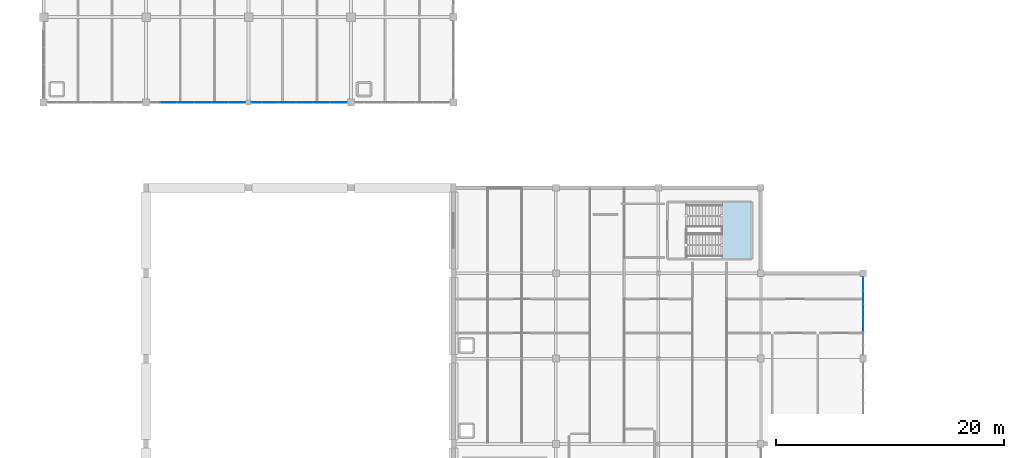
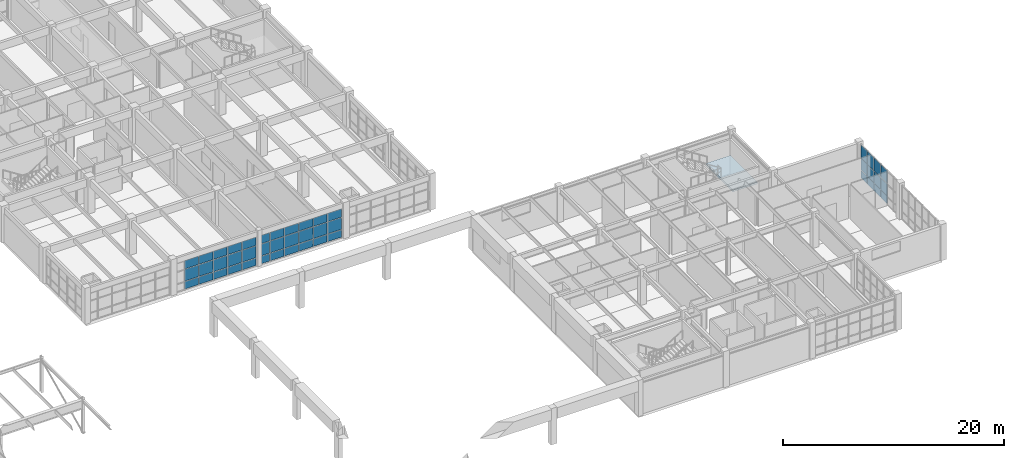
# One storey, part 49 of 76: 45 plates, 1 slab, 4 elements without a shape of their own.
"""IFC4 building model written with IfcOpenShell, lengths in metres."""

from ifc_helpers import new_model, si_unit, direction, frame, origin, origin_2d, place, context, subcontext, project, spatial, polyline, rectangle, outline, extrude, material, layer, layer_set, type_object, element, aggregate, save


model = new_model("IFC4")

# Units and contexts
model_context = context("Model", 3, precision=1e-05, world=origin(), true_north=direction((0.0, 1.0)))
body_context = subcontext(model_context, "Body", "Model", "MODEL_VIEW")
ifc_project = project(units=[si_unit("LENGTHUNIT", "METRE"), si_unit("AREAUNIT", "SQUARE_METRE"), si_unit("VOLUMEUNIT", "CUBIC_METRE"), si_unit("PLANEANGLEUNIT", "RADIAN"), si_unit("MASSUNIT", "GRAM", prefix="KILO")], contexts=[model_context])

# Site, building, storey
site_placement = place(None, origin())
site = spatial("IfcSite", under=ifc_project, at=site_placement, CompositionType="ELEMENT")
building_placement = place(site_placement, origin())
building = spatial("IfcBuilding", under=site, at=building_placement, Name="Marnridge Secondary College", CompositionType="ELEMENT")
storey_placement = place(building_placement, frame((0.0, 0.0, 4.5)))
storey = spatial("IfcBuildingStorey", under=building, at=storey_placement, Name="L01", CompositionType="ELEMENT", Elevation=4.5)

# Curtain wall, plates
ifc_material_1 = material(Name="Thermally broken aluminium and low-E glazing", Category="aluminium")
ifc_layer_1 = layer(ifc_material_1, 0.159912109375)
ifc_layer_set_1 = layer_set([ifc_layer_1], Name="CW-MOD-1500")
curtain_wall_type_1 = type_object("IfcCurtainWallType", Name="CW-MOD-1500", PredefinedType="NOTDEFINED", material=ifc_layer_set_1)
curtain_wall_1_placement = place(storey_placement, origin())
curtain_wall_1 = element("IfcCurtainWall", 1, at=curtain_wall_1_placement, inside=storey, type_object=curtain_wall_type_1, Name="Unitised curtain wall CW-L01-036", PredefinedType="NOTDEFINED")
ifc_material_2 = material(Name="Double-glazed low-E argon unit", Category="glass")
ifc_layer_2 = layer(ifc_material_2, 0.028076171875)
ifc_layer_set_2 = layer_set([ifc_layer_2], Name="CWP-GLZ28")
plate_type = type_object("IfcPlateType", Name="CWP-GLZ28", PredefinedType="CURTAIN_PANEL", material=ifc_layer_set_2)
plate_1_placement = place(storey_placement, frame((79.916015625, 37.5, 0.06005859375), z_axis=(0.0, 0.0, 1.0), x_axis=(-1.0, 0.0, 0.0)))
plate_1 = element("IfcPlate", 2, at=plate_1_placement, type_object=plate_type, Name="CW-L01-036 panel 1.1", PredefinedType="CURTAIN_PANEL", context=body_context, shape_type="SweptSolid", body=[
    extrude(rectangle(XDim=1.43994140625, YDim=0.028076171875, at=origin_2d()), origin(), (0.0, 0.0, 1.0), 0.81005859375),
])
plate_2_placement = place(storey_placement, frame((79.916015625, 37.5, 0.929931640625), z_axis=(0.0, 0.0, 1.0), x_axis=(-1.0, 0.0, 0.0)))
plate_2 = element("IfcPlate", 3, at=plate_2_placement, type_object=plate_type, Name="CW-L01-036 panel 1.2", PredefinedType="CURTAIN_PANEL", context=body_context, shape_type="SweptSolid", body=[
    extrude(rectangle(XDim=1.43994140625, YDim=0.028076171875, at=origin_2d()), origin(), (0.0, 0.0, 1.0), 1.2900390625),
])
plate_3_placement = place(storey_placement, frame((79.916015625, 37.5, 2.27978515625), z_axis=(0.0, 0.0, 1.0), x_axis=(-1.0, 0.0, 0.0)))
plate_3 = element("IfcPlate", 4, at=plate_3_placement, type_object=plate_type, Name="CW-L01-036 panel 1.3", PredefinedType="CURTAIN_PANEL", context=body_context, shape_type="SweptSolid", body=[
    extrude(rectangle(XDim=1.43994140625, YDim=0.028076171875, at=origin_2d()), origin(), (0.0, 0.0, 1.0), 0.906982421875),
])
plate_4_placement = place(storey_placement, frame((78.416015625, 37.5, 0.06005859375), z_axis=(0.0, 0.0, 1.0), x_axis=(-1.0, 0.0, 0.0)))
plate_4 = element("IfcPlate", 5, at=plate_4_placement, type_object=plate_type, Name="CW-L01-036 panel 2.1", PredefinedType="CURTAIN_PANEL", context=body_context, shape_type="SweptSolid", body=[
    extrude(rectangle(XDim=1.43994140625, YDim=0.028076171875, at=origin_2d()), origin(), (0.0, 0.0, 1.0), 0.81005859375),
])
plate_5_placement = place(storey_placement, frame((78.416015625, 37.5, 0.929931640625), z_axis=(0.0, 0.0, 1.0), x_axis=(-1.0, 0.0, 0.0)))
plate_5 = element("IfcPlate", 6, at=plate_5_placement, type_object=plate_type, Name="CW-L01-036 panel 2.2", PredefinedType="CURTAIN_PANEL", context=body_context, shape_type="SweptSolid", body=[
    extrude(rectangle(XDim=1.43994140625, YDim=0.028076171875, at=origin_2d()), origin(), (0.0, 0.0, 1.0), 1.2900390625),
])
plate_6_placement = place(storey_placement, frame((78.416015625, 37.5, 2.27978515625), z_axis=(0.0, 0.0, 1.0), x_axis=(-1.0, 0.0, 0.0)))
plate_6 = element("IfcPlate", 7, at=plate_6_placement, type_object=plate_type, Name="CW-L01-036 panel 2.3", PredefinedType="CURTAIN_PANEL", context=body_context, shape_type="SweptSolid", body=[
    extrude(rectangle(XDim=1.43994140625, YDim=0.028076171875, at=origin_2d()), origin(), (0.0, 0.0, 1.0), 0.906982421875),
])
plate_7_placement = place(storey_placement, frame((76.916015625, 37.5, 0.06005859375), z_axis=(0.0, 0.0, 1.0), x_axis=(-1.0, 0.0, 0.0)))
plate_7 = element("IfcPlate", 8, at=plate_7_placement, type_object=plate_type, Name="CW-L01-036 panel 3.1", PredefinedType="CURTAIN_PANEL", context=body_context, shape_type="SweptSolid", body=[
    extrude(rectangle(XDim=1.43994140625, YDim=0.028076171875, at=origin_2d()), origin(), (0.0, 0.0, 1.0), 0.81005859375),
])
plate_8_placement = place(storey_placement, frame((76.916015625, 37.5, 0.929931640625), z_axis=(0.0, 0.0, 1.0), x_axis=(-1.0, 0.0, 0.0)))
plate_8 = element("IfcPlate", 9, at=plate_8_placement, type_object=plate_type, Name="CW-L01-036 panel 3.2", PredefinedType="CURTAIN_PANEL", context=body_context, shape_type="SweptSolid", body=[
    extrude(rectangle(XDim=1.43994140625, YDim=0.028076171875, at=origin_2d()), origin(), (0.0, 0.0, 1.0), 1.2900390625),
])
plate_9_placement = place(storey_placement, frame((76.916015625, 37.5, 2.27978515625), z_axis=(0.0, 0.0, 1.0), x_axis=(-1.0, 0.0, 0.0)))
plate_9 = element("IfcPlate", 10, at=plate_9_placement, type_object=plate_type, Name="CW-L01-036 panel 3.3", PredefinedType="CURTAIN_PANEL", context=body_context, shape_type="SweptSolid", body=[
    extrude(rectangle(XDim=1.43994140625, YDim=0.028076171875, at=origin_2d()), origin(), (0.0, 0.0, 1.0), 0.906982421875),
])
plate_10_placement = place(storey_placement, frame((75.416015625, 37.5, 0.06005859375), z_axis=(0.0, 0.0, 1.0), x_axis=(-1.0, 0.0, 0.0)))
plate_10 = element("IfcPlate", 11, at=plate_10_placement, type_object=plate_type, Name="CW-L01-036 panel 4.1", PredefinedType="CURTAIN_PANEL", context=body_context, shape_type="SweptSolid", body=[
    extrude(rectangle(XDim=1.43994140625, YDim=0.028076171875, at=origin_2d()), origin(), (0.0, 0.0, 1.0), 0.81005859375),
])
plate_11_placement = place(storey_placement, frame((75.416015625, 37.5, 0.929931640625), z_axis=(0.0, 0.0, 1.0), x_axis=(-1.0, 0.0, 0.0)))
plate_11 = element("IfcPlate", 12, at=plate_11_placement, type_object=plate_type, Name="CW-L01-036 panel 4.2", PredefinedType="CURTAIN_PANEL", context=body_context, shape_type="SweptSolid", body=[
    extrude(rectangle(XDim=1.43994140625, YDim=0.028076171875, at=origin_2d()), origin(), (0.0, 0.0, 1.0), 1.2900390625),
])
plate_12_placement = place(storey_placement, frame((75.416015625, 37.5, 2.27978515625), z_axis=(0.0, 0.0, 1.0), x_axis=(-1.0, 0.0, 0.0)))
plate_12 = element("IfcPlate", 13, at=plate_12_placement, type_object=plate_type, Name="CW-L01-036 panel 4.3", PredefinedType="CURTAIN_PANEL", context=body_context, shape_type="SweptSolid", body=[
    extrude(rectangle(XDim=1.43994140625, YDim=0.028076171875, at=origin_2d()), origin(), (0.0, 0.0, 1.0), 0.906982421875),
])
plate_13_placement = place(storey_placement, frame((73.916015625, 37.5, 0.06005859375), z_axis=(0.0, 0.0, 1.0), x_axis=(-1.0, 0.0, 0.0)))
plate_13 = element("IfcPlate", 14, at=plate_13_placement, type_object=plate_type, Name="CW-L01-036 panel 5.1", PredefinedType="CURTAIN_PANEL", context=body_context, shape_type="SweptSolid", body=[
    extrude(rectangle(XDim=1.43994140625, YDim=0.028076171875, at=origin_2d()), origin(), (0.0, 0.0, 1.0), 0.81005859375),
])
plate_14_placement = place(storey_placement, frame((73.916015625, 37.5, 0.929931640625), z_axis=(0.0, 0.0, 1.0), x_axis=(-1.0, 0.0, 0.0)))
plate_14 = element("IfcPlate", 15, at=plate_14_placement, type_object=plate_type, Name="CW-L01-036 panel 5.2", PredefinedType="CURTAIN_PANEL", context=body_context, shape_type="SweptSolid", body=[
    extrude(rectangle(XDim=1.43994140625, YDim=0.028076171875, at=origin_2d()), origin(), (0.0, 0.0, 1.0), 1.2900390625),
])
plate_15_placement = place(storey_placement, frame((73.916015625, 37.5, 2.27978515625), z_axis=(0.0, 0.0, 1.0), x_axis=(-1.0, 0.0, 0.0)))
plate_15 = element("IfcPlate", 16, at=plate_15_placement, type_object=plate_type, Name="CW-L01-036 panel 5.3", PredefinedType="CURTAIN_PANEL", context=body_context, shape_type="SweptSolid", body=[
    extrude(rectangle(XDim=1.43994140625, YDim=0.028076171875, at=origin_2d()), origin(), (0.0, 0.0, 1.0), 0.906982421875),
])
plate_16_placement = place(storey_placement, frame((72.71240234375, 37.5, 0.06005859375), z_axis=(0.0, 0.0, 1.0), x_axis=(-1.0, 0.0, 0.0)))
plate_16 = element("IfcPlate", 17, at=plate_16_placement, type_object=plate_type, Name="CW-L01-036 panel 6.1", PredefinedType="CURTAIN_PANEL", context=body_context, shape_type="SweptSolid", body=[
    extrude(rectangle(XDim=0.846923828125, YDim=0.028076171875, at=origin_2d()), origin(), (0.0, 0.0, 1.0), 0.81005859375),
])
plate_17_placement = place(storey_placement, frame((72.71240234375, 37.5, 0.929931640625), z_axis=(0.0, 0.0, 1.0), x_axis=(-1.0, 0.0, 0.0)))
plate_17 = element("IfcPlate", 18, at=plate_17_placement, type_object=plate_type, Name="CW-L01-036 panel 6.2", PredefinedType="CURTAIN_PANEL", context=body_context, shape_type="SweptSolid", body=[
    extrude(rectangle(XDim=0.846923828125, YDim=0.028076171875, at=origin_2d()), origin(), (0.0, 0.0, 1.0), 1.2900390625),
])
plate_18_placement = place(storey_placement, frame((72.71240234375, 37.5, 2.27978515625), z_axis=(0.0, 0.0, 1.0), x_axis=(-1.0, 0.0, 0.0)))
plate_18 = element("IfcPlate", 19, at=plate_18_placement, type_object=plate_type, Name="CW-L01-036 panel 6.3", PredefinedType="CURTAIN_PANEL", context=body_context, shape_type="SweptSolid", body=[
    extrude(rectangle(XDim=0.846923828125, YDim=0.028076171875, at=origin_2d()), origin(), (0.0, 0.0, 1.0), 0.906982421875),
])
aggregate(curtain_wall_1, [plate_1, plate_2, plate_3, plate_4, plate_5, plate_6, plate_7, plate_8, plate_9, plate_10, plate_11, plate_12, plate_13, plate_14, plate_15, plate_16, plate_17, plate_18])

curtain_wall_2_placement = place(storey_placement, origin())
curtain_wall_2 = element("IfcCurtainWall", 20, at=curtain_wall_2_placement, inside=storey, type_object=curtain_wall_type_1, Name="Unitised curtain wall CW-L01-037", PredefinedType="NOTDEFINED")
plate_19_placement = place(storey_placement, frame((70.990966796875, 37.5, 0.06005859375), z_axis=(0.0, 0.0, 1.0), x_axis=(-1.0, 0.0, 0.0)))
plate_19 = element("IfcPlate", 21, at=plate_19_placement, type_object=plate_type, Name="CW-L01-037 panel 1.1", PredefinedType="CURTAIN_PANEL", context=body_context, shape_type="SweptSolid", body=[
    extrude(rectangle(XDim=1.43994140625, YDim=0.028076171875, at=origin_2d()), origin(), (0.0, 0.0, 1.0), 0.81005859375),
])
plate_20_placement = place(storey_placement, frame((70.990966796875, 37.5, 0.929931640625), z_axis=(0.0, 0.0, 1.0), x_axis=(-1.0, 0.0, 0.0)))
plate_20 = element("IfcPlate", 22, at=plate_20_placement, type_object=plate_type, Name="CW-L01-037 panel 1.2", PredefinedType="CURTAIN_PANEL", context=body_context, shape_type="SweptSolid", body=[
    extrude(rectangle(XDim=1.43994140625, YDim=0.028076171875, at=origin_2d()), origin(), (0.0, 0.0, 1.0), 1.2900390625),
])
plate_21_placement = place(storey_placement, frame((70.990966796875, 37.5, 2.27978515625), z_axis=(0.0, 0.0, 1.0), x_axis=(-1.0, 0.0, 0.0)))
plate_21 = element("IfcPlate", 23, at=plate_21_placement, type_object=plate_type, Name="CW-L01-037 panel 1.3", PredefinedType="CURTAIN_PANEL", context=body_context, shape_type="SweptSolid", body=[
    extrude(rectangle(XDim=1.43994140625, YDim=0.028076171875, at=origin_2d()), origin(), (0.0, 0.0, 1.0), 0.906982421875),
])
plate_22_placement = place(storey_placement, frame((69.490966796875, 37.5, 0.06005859375), z_axis=(0.0, 0.0, 1.0), x_axis=(-1.0, 0.0, 0.0)))
plate_22 = element("IfcPlate", 24, at=plate_22_placement, type_object=plate_type, Name="CW-L01-037 panel 2.1", PredefinedType="CURTAIN_PANEL", context=body_context, shape_type="SweptSolid", body=[
    extrude(rectangle(XDim=1.43994140625, YDim=0.028076171875, at=origin_2d()), origin(), (0.0, 0.0, 1.0), 0.81005859375),
])
plate_23_placement = place(storey_placement, frame((69.490966796875, 37.5, 0.929931640625), z_axis=(0.0, 0.0, 1.0), x_axis=(-1.0, 0.0, 0.0)))
plate_23 = element("IfcPlate", 25, at=plate_23_placement, type_object=plate_type, Name="CW-L01-037 panel 2.2", PredefinedType="CURTAIN_PANEL", context=body_context, shape_type="SweptSolid", body=[
    extrude(rectangle(XDim=1.43994140625, YDim=0.028076171875, at=origin_2d()), origin(), (0.0, 0.0, 1.0), 1.2900390625),
])
plate_24_placement = place(storey_placement, frame((69.490966796875, 37.5, 2.27978515625), z_axis=(0.0, 0.0, 1.0), x_axis=(-1.0, 0.0, 0.0)))
plate_24 = element("IfcPlate", 26, at=plate_24_placement, type_object=plate_type, Name="CW-L01-037 panel 2.3", PredefinedType="CURTAIN_PANEL", context=body_context, shape_type="SweptSolid", body=[
    extrude(rectangle(XDim=1.43994140625, YDim=0.028076171875, at=origin_2d()), origin(), (0.0, 0.0, 1.0), 0.906982421875),
])
plate_25_placement = place(storey_placement, frame((67.990966796875, 37.5, 0.06005859375), z_axis=(0.0, 0.0, 1.0), x_axis=(-1.0, 0.0, 0.0)))
plate_25 = element("IfcPlate", 27, at=plate_25_placement, type_object=plate_type, Name="CW-L01-037 panel 3.1", PredefinedType="CURTAIN_PANEL", context=body_context, shape_type="SweptSolid", body=[
    extrude(rectangle(XDim=1.43994140625, YDim=0.028076171875, at=origin_2d()), origin(), (0.0, 0.0, 1.0), 0.81005859375),
])
plate_26_placement = place(storey_placement, frame((67.990966796875, 37.5, 0.929931640625), z_axis=(0.0, 0.0, 1.0), x_axis=(-1.0, 0.0, 0.0)))
plate_26 = element("IfcPlate", 28, at=plate_26_placement, type_object=plate_type, Name="CW-L01-037 panel 3.2", PredefinedType="CURTAIN_PANEL", context=body_context, shape_type="SweptSolid", body=[
    extrude(rectangle(XDim=1.43994140625, YDim=0.028076171875, at=origin_2d()), origin(), (0.0, 0.0, 1.0), 1.2900390625),
])
plate_27_placement = place(storey_placement, frame((67.990966796875, 37.5, 2.27978515625), z_axis=(0.0, 0.0, 1.0), x_axis=(-1.0, 0.0, 0.0)))
plate_27 = element("IfcPlate", 29, at=plate_27_placement, type_object=plate_type, Name="CW-L01-037 panel 3.3", PredefinedType="CURTAIN_PANEL", context=body_context, shape_type="SweptSolid", body=[
    extrude(rectangle(XDim=1.43994140625, YDim=0.028076171875, at=origin_2d()), origin(), (0.0, 0.0, 1.0), 0.906982421875),
])
plate_28_placement = place(storey_placement, frame((66.490966796875, 37.5, 0.06005859375), z_axis=(0.0, 0.0, 1.0), x_axis=(-1.0, 0.0, 0.0)))
plate_28 = element("IfcPlate", 30, at=plate_28_placement, type_object=plate_type, Name="CW-L01-037 panel 4.1", PredefinedType="CURTAIN_PANEL", context=body_context, shape_type="SweptSolid", body=[
    extrude(rectangle(XDim=1.43994140625, YDim=0.028076171875, at=origin_2d()), origin(), (0.0, 0.0, 1.0), 0.81005859375),
])
plate_29_placement = place(storey_placement, frame((66.490966796875, 37.5, 0.929931640625), z_axis=(0.0, 0.0, 1.0), x_axis=(-1.0, 0.0, 0.0)))
plate_29 = element("IfcPlate", 31, at=plate_29_placement, type_object=plate_type, Name="CW-L01-037 panel 4.2", PredefinedType="CURTAIN_PANEL", context=body_context, shape_type="SweptSolid", body=[
    extrude(rectangle(XDim=1.43994140625, YDim=0.028076171875, at=origin_2d()), origin(), (0.0, 0.0, 1.0), 1.2900390625),
])
plate_30_placement = place(storey_placement, frame((66.490966796875, 37.5, 2.27978515625), z_axis=(0.0, 0.0, 1.0), x_axis=(-1.0, 0.0, 0.0)))
plate_30 = element("IfcPlate", 32, at=plate_30_placement, type_object=plate_type, Name="CW-L01-037 panel 4.3", PredefinedType="CURTAIN_PANEL", context=body_context, shape_type="SweptSolid", body=[
    extrude(rectangle(XDim=1.43994140625, YDim=0.028076171875, at=origin_2d()), origin(), (0.0, 0.0, 1.0), 0.906982421875),
])
plate_31_placement = place(storey_placement, frame((64.990966796875, 37.5, 0.06005859375), z_axis=(0.0, 0.0, 1.0), x_axis=(-1.0, 0.0, 0.0)))
plate_31 = element("IfcPlate", 33, at=plate_31_placement, type_object=plate_type, Name="CW-L01-037 panel 5.1", PredefinedType="CURTAIN_PANEL", context=body_context, shape_type="SweptSolid", body=[
    extrude(rectangle(XDim=1.43994140625, YDim=0.028076171875, at=origin_2d()), origin(), (0.0, 0.0, 1.0), 0.81005859375),
])
plate_32_placement = place(storey_placement, frame((64.990966796875, 37.5, 0.929931640625), z_axis=(0.0, 0.0, 1.0), x_axis=(-1.0, 0.0, 0.0)))
plate_32 = element("IfcPlate", 34, at=plate_32_placement, type_object=plate_type, Name="CW-L01-037 panel 5.2", PredefinedType="CURTAIN_PANEL", context=body_context, shape_type="SweptSolid", body=[
    extrude(rectangle(XDim=1.43994140625, YDim=0.028076171875, at=origin_2d()), origin(), (0.0, 0.0, 1.0), 1.2900390625),
])
plate_33_placement = place(storey_placement, frame((64.990966796875, 37.5, 2.27978515625), z_axis=(0.0, 0.0, 1.0), x_axis=(-1.0, 0.0, 0.0)))
plate_33 = element("IfcPlate", 35, at=plate_33_placement, type_object=plate_type, Name="CW-L01-037 panel 5.3", PredefinedType="CURTAIN_PANEL", context=body_context, shape_type="SweptSolid", body=[
    extrude(rectangle(XDim=1.43994140625, YDim=0.028076171875, at=origin_2d()), origin(), (0.0, 0.0, 1.0), 0.906982421875),
])
aggregate(curtain_wall_2, [plate_19, plate_20, plate_21, plate_22, plate_23, plate_24, plate_25, plate_26, plate_27, plate_28, plate_29, plate_30, plate_31, plate_32, plate_33])

ifc_material_3 = material(Name="Thermally broken aluminium and low-E glazing", Category="aluminium")
ifc_layer_3 = layer(ifc_material_3, 0.179931640625)
ifc_layer_set_3 = layer_set([ifc_layer_3], Name="CW-MOD-1200")
curtain_wall_type_2 = type_object("IfcCurtainWallType", Name="CW-MOD-1200", PredefinedType="NOTDEFINED", material=ifc_layer_set_3)
curtain_wall_3_placement = place(storey_placement, origin())
curtain_wall_3 = element("IfcCurtainWall", 36, at=curtain_wall_3_placement, inside=storey, type_object=curtain_wall_type_2, Name="Unitised curtain wall CW-L01-042", PredefinedType="NOTDEFINED")
plate_34_placement = place(storey_placement, frame((126.0, 21.5634765625, 0.06005859375), z_axis=(0.0, 0.0, 1.0), x_axis=(0.0, -1.0, 0.0)))
plate_34 = element("IfcPlate", 37, at=plate_34_placement, type_object=plate_type, Name="CW-L01-042 panel 1.1", PredefinedType="CURTAIN_PANEL", context=body_context, shape_type="SweptSolid", body=[
    extrude(rectangle(XDim=1.135009765625, YDim=0.028076171875, at=origin_2d()), origin(), (0.0, 0.0, 1.0), 0.81005859375),
])
plate_35_placement = place(storey_placement, frame((126.0, 21.5634765625, 0.929931640625), z_axis=(0.0, 0.0, 1.0), x_axis=(0.0, -1.0, 0.0)))
plate_35 = element("IfcPlate", 38, at=plate_35_placement, type_object=plate_type, Name="CW-L01-042 panel 1.2", PredefinedType="CURTAIN_PANEL", context=body_context, shape_type="SweptSolid", body=[
    extrude(rectangle(XDim=1.135009765625, YDim=0.028076171875, at=origin_2d()), origin(), (0.0, 0.0, 1.0), 1.2900390625),
])
plate_36_placement = place(storey_placement, frame((126.0, 21.5634765625, 2.2802734375), z_axis=(0.0, 0.0, 1.0), x_axis=(0.0, -1.0, 0.0)))
plate_36 = element("IfcPlate", 39, at=plate_36_placement, type_object=plate_type, Name="CW-L01-042 panel 1.3", PredefinedType="CURTAIN_PANEL", context=body_context, shape_type="SweptSolid", body=[
    extrude(rectangle(XDim=1.135009765625, YDim=0.028076171875, at=origin_2d()), origin(), (0.0, 0.0, 1.0), 1.429931640625),
])
plate_37_placement = place(storey_placement, frame((126.0, 20.363525390625, 0.06005859375), z_axis=(0.0, 0.0, 1.0), x_axis=(0.0, -1.0, 0.0)))
plate_37 = element("IfcPlate", 40, at=plate_37_placement, type_object=plate_type, Name="CW-L01-042 panel 2.1", PredefinedType="CURTAIN_PANEL", context=body_context, shape_type="SweptSolid", body=[
    extrude(rectangle(XDim=1.135009765625, YDim=0.028076171875, at=origin_2d()), origin(), (0.0, 0.0, 1.0), 0.81005859375),
])
plate_38_placement = place(storey_placement, frame((126.0, 20.363525390625, 0.929931640625), z_axis=(0.0, 0.0, 1.0), x_axis=(0.0, -1.0, 0.0)))
plate_38 = element("IfcPlate", 41, at=plate_38_placement, type_object=plate_type, Name="CW-L01-042 panel 2.2", PredefinedType="CURTAIN_PANEL", context=body_context, shape_type="SweptSolid", body=[
    extrude(rectangle(XDim=1.135009765625, YDim=0.028076171875, at=origin_2d()), origin(), (0.0, 0.0, 1.0), 1.2900390625),
])
plate_39_placement = place(storey_placement, frame((126.0, 20.363525390625, 2.2802734375), z_axis=(0.0, 0.0, 1.0), x_axis=(0.0, -1.0, 0.0)))
plate_39 = element("IfcPlate", 42, at=plate_39_placement, type_object=plate_type, Name="CW-L01-042 panel 2.3", PredefinedType="CURTAIN_PANEL", context=body_context, shape_type="SweptSolid", body=[
    extrude(rectangle(XDim=1.135009765625, YDim=0.028076171875, at=origin_2d()), origin(), (0.0, 0.0, 1.0), 1.429931640625),
])
plate_40_placement = place(storey_placement, frame((126.0, 19.16357421875, 0.06005859375), z_axis=(0.0, 0.0, 1.0), x_axis=(0.0, -1.0, 0.0)))
plate_40 = element("IfcPlate", 43, at=plate_40_placement, type_object=plate_type, Name="CW-L01-042 panel 3.1", PredefinedType="CURTAIN_PANEL", context=body_context, shape_type="SweptSolid", body=[
    extrude(rectangle(XDim=1.135009765625, YDim=0.028076171875, at=origin_2d()), origin(), (0.0, 0.0, 1.0), 0.81005859375),
])
plate_41_placement = place(storey_placement, frame((126.0, 19.16357421875, 0.929931640625), z_axis=(0.0, 0.0, 1.0), x_axis=(0.0, -1.0, 0.0)))
plate_41 = element("IfcPlate", 44, at=plate_41_placement, type_object=plate_type, Name="CW-L01-042 panel 3.2", PredefinedType="CURTAIN_PANEL", context=body_context, shape_type="SweptSolid", body=[
    extrude(rectangle(XDim=1.135009765625, YDim=0.028076171875, at=origin_2d()), origin(), (0.0, 0.0, 1.0), 1.2900390625),
])
plate_42_placement = place(storey_placement, frame((126.0, 19.16357421875, 2.2802734375), z_axis=(0.0, 0.0, 1.0), x_axis=(0.0, -1.0, 0.0)))
plate_42 = element("IfcPlate", 45, at=plate_42_placement, type_object=plate_type, Name="CW-L01-042 panel 3.3", PredefinedType="CURTAIN_PANEL", context=body_context, shape_type="SweptSolid", body=[
    extrude(rectangle(XDim=1.135009765625, YDim=0.028076171875, at=origin_2d()), origin(), (0.0, 0.0, 1.0), 1.429931640625),
])
plate_43_placement = place(storey_placement, frame((126.0, 17.96337890625, 0.06005859375), z_axis=(0.0, 0.0, 1.0), x_axis=(0.0, -1.0, 0.0)))
plate_43 = element("IfcPlate", 46, at=plate_43_placement, type_object=plate_type, Name="CW-L01-042 panel 4.1", PredefinedType="CURTAIN_PANEL", context=body_context, shape_type="SweptSolid", body=[
    extrude(rectangle(XDim=1.135009765625, YDim=0.028076171875, at=origin_2d()), origin(), (0.0, 0.0, 1.0), 0.81005859375),
])
plate_44_placement = place(storey_placement, frame((126.0, 17.96337890625, 0.929931640625), z_axis=(0.0, 0.0, 1.0), x_axis=(0.0, -1.0, 0.0)))
plate_44 = element("IfcPlate", 47, at=plate_44_placement, type_object=plate_type, Name="CW-L01-042 panel 4.2", PredefinedType="CURTAIN_PANEL", context=body_context, shape_type="SweptSolid", body=[
    extrude(rectangle(XDim=1.135009765625, YDim=0.028076171875, at=origin_2d()), origin(), (0.0, 0.0, 1.0), 1.2900390625),
])
plate_45_placement = place(storey_placement, frame((126.0, 17.96337890625, 2.2802734375), z_axis=(0.0, 0.0, 1.0), x_axis=(0.0, -1.0, 0.0)))
plate_45 = element("IfcPlate", 48, at=plate_45_placement, type_object=plate_type, Name="CW-L01-042 panel 4.3", PredefinedType="CURTAIN_PANEL", context=body_context, shape_type="SweptSolid", body=[
    extrude(rectangle(XDim=1.135009765625, YDim=0.028076171875, at=origin_2d()), origin(), (0.0, 0.0, 1.0), 1.429931640625),
])
aggregate(curtain_wall_3, [plate_34, plate_35, plate_36, plate_37, plate_38, plate_39, plate_40, plate_41, plate_42, plate_43, plate_44, plate_45])

# Stair, slab
ifc_material_4 = material(Name="Concrete C40/50 (AS 3600 N40, 40 MPa)", Category="concrete")
stair_type = type_object("IfcStairType", Name="STC1", PredefinedType="HALF_TURN_STAIR", material=ifc_material_4)
stair_placement = place(storey_placement, origin())
stair = element("IfcStair", 49, at=stair_placement, inside=storey, type_object=stair_type, Name="Fire-isolated stair ST-08-L01", PredefinedType="HALF_TURN_STAIR")
ifc_material_5 = material(Name="Concrete C40/50 (AS 3600 N40, 40 MPa)", Category="concrete")
ifc_layer_4 = layer(ifc_material_5, 0.199951171875)
ifc_layer_set_4 = layer_set([ifc_layer_4], Name="SL-LAND-200")
slab_type = type_object("IfcSlabType", Name="SL-LAND-200", PredefinedType="LANDING", material=ifc_layer_set_4)
slab_placement = place(storey_placement, frame((0.0, 0.0, 1.800048828125)))
slab = element("IfcSlab", 50, at=slab_placement, type_object=slab_type, Name="ST-08-L01 landing 1", PredefinedType="LANDING", context=body_context, shape_type="SweptSolid", body=[
    extrude(outline(polyline([(113.5849609375, 23.81005859375), (116.139892578125, 23.81005859375), (116.139892578125, 28.68994140625), (113.5849609375, 28.68994140625), (113.5849609375, 23.81005859375)])), origin(), (0.0, 0.0, 1.0), 0.199951171875),
])
aggregate(stair, [slab])

save(model, "model.ifc")
